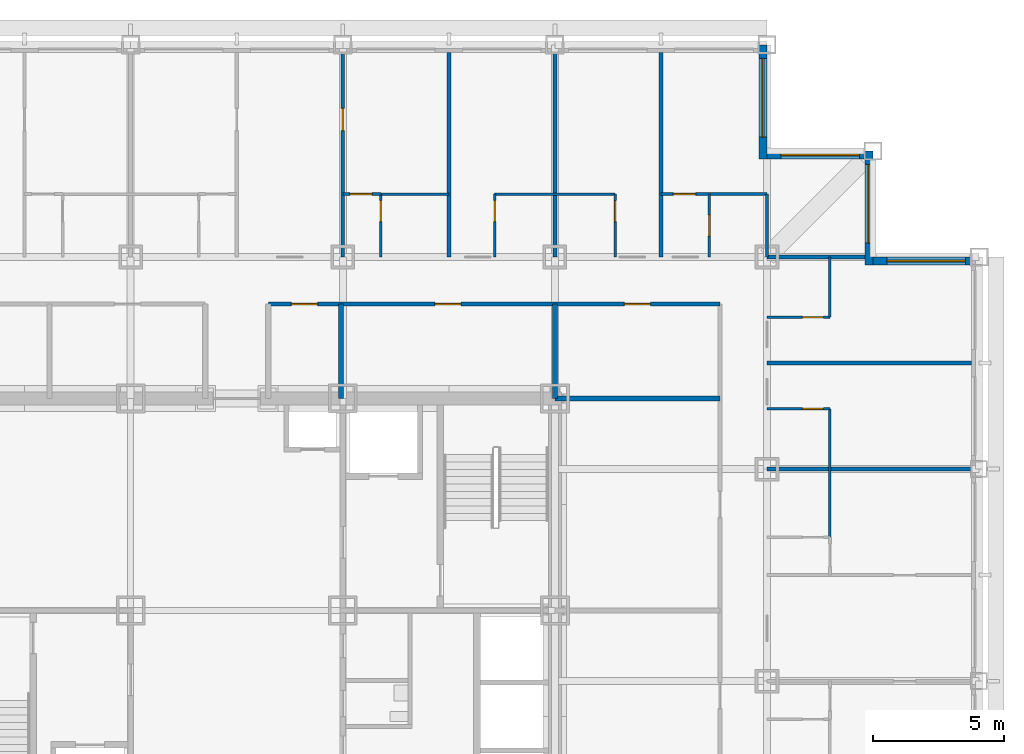
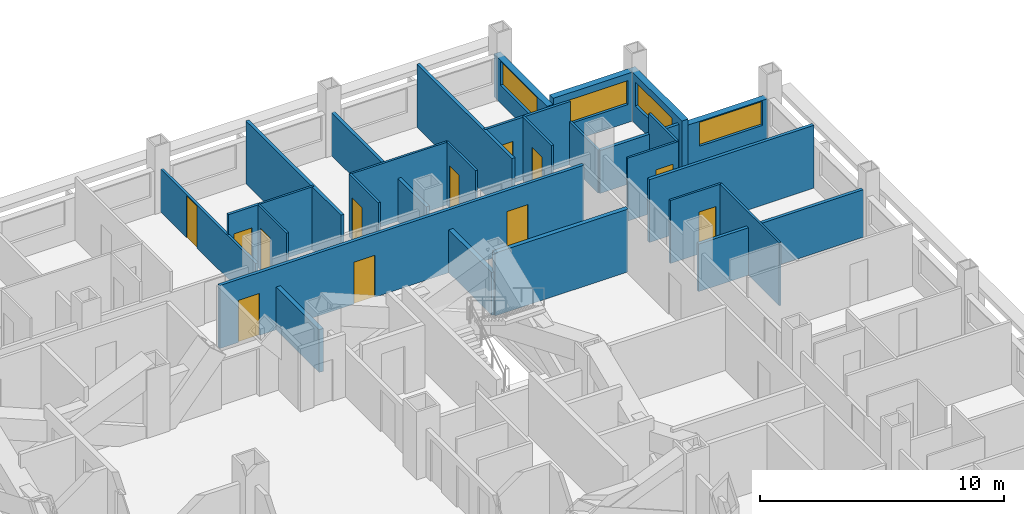
# One storey, part 12 of 15: 28 walls, 12 doors, 4 windows, 16 openings.
"""IFC4 building model written with IfcOpenShell, lengths in metres."""

from ifc_helpers import new_model, si_unit, direction, frame, frame_2d, origin, place, context, subcontext, project, spatial, rectangle, extrude, material, layer, layer_set, type_object, element, fill, save


model = new_model("IFC4")

# Units and contexts
model_context = context("Model", 3, precision=1e-05, world=origin(), true_north=direction((0.0, 1.0)))
body_context = subcontext(model_context, "Body", "Model", "MODEL_VIEW")
ifc_project = project(units=[si_unit("LENGTHUNIT", "METRE"), si_unit("AREAUNIT", "SQUARE_METRE"), si_unit("VOLUMEUNIT", "CUBIC_METRE"), si_unit("PLANEANGLEUNIT", "RADIAN"), si_unit("MASSUNIT", "GRAM", prefix="KILO")], contexts=[model_context])

# Site, building, storey
site_placement = place(None, origin())
site = spatial("IfcSite", under=ifc_project, at=site_placement, CompositionType="ELEMENT")
building_placement = place(site_placement, origin())
building = spatial("IfcBuilding", under=site, at=building_placement, Name="Kopane Lantern Tower", CompositionType="ELEMENT")
storey_placement = place(building_placement, frame((0.0, 0.0, 154.39990234375)))
storey = spatial("IfcBuildingStorey", under=building, at=storey_placement, Name="L40", CompositionType="ELEMENT", Elevation=154.39990234375)

# Wall, opening, door
ifc_material_1 = material(Name="Gypsum board on steel studs", Category="steel")
ifc_layer_1 = layer(ifc_material_1, 0.1201171875)
ifc_layer_set_1 = layer_set([ifc_layer_1], Name="APARTMENT INTERNAL WALL 120")
wall_type_1 = type_object("IfcWallType", Name="APARTMENT INTERNAL WALL 120", PredefinedType="PARTITIONING", material=ifc_layer_set_1)
wall_1_placement = place(storey_placement, frame((32.39990234375, 45.89990234375, 0.0), z_axis=(0.0, 0.0, 1.0), x_axis=(0.0, 1.0, 0.0)))
wall_1 = element("IfcWall", 1, at=wall_1_placement, inside=storey, type_object=wall_type_1, Name="Apartment Internal Wall 120 L40", PredefinedType="PARTITIONING", context=body_context, shape_type="SweptSolid", body=[
    extrude(rectangle(XDim=7.800048828125, YDim=0.1201171875, at=frame_2d((3.89990234375, 0.0))), origin(), (0.0, 0.0, 1.0), 2.150146484375),
])
opening_1_placement = place(wall_1_placement, frame((4.824951171875, 0.0, 0.0)))
opening_1 = element("IfcOpeningElement", 2, at=opening_1_placement, cuts=wall_1, Name="Opening L40-046", PredefinedType="OPENING", context=body_context, shape_type="SweptSolid", body=[
    extrude(rectangle(XDim=0.85009765625, YDim=2.10009765625, at=frame_2d((0.425048828125, 1.050048828125))), frame((0.0, 0.070068359375, 0.0), z_axis=(0.0, -1.0, 0.0), x_axis=(1.0, 0.0, 0.0)), (0.0, 0.0, 1.0), 0.14013671875),
])
ifc_material_2 = material(Name="Timber door set", Category="wood")
door_type_1 = type_object("IfcDoorType", Name="DOOR D4 850x2100", OperationType="SINGLE_SWING_LEFT", PredefinedType="DOOR", material=ifc_material_2)
door_1_placement = place(opening_1_placement, origin())
door_1 = element("IfcDoor", 3, at=door_1_placement, inside=storey, type_object=door_type_1, Name="Door L40-046", OperationType="SINGLE_SWING_RIGHT", OverallHeight=2.10009765625, OverallWidth=0.85009765625, PredefinedType="DOOR", context=body_context, shape_type="SweptSolid", body=[
    extrude(rectangle(XDim=0.85009765625, YDim=2.10009765625, at=frame_2d((0.425048828125, 1.050048828125))), frame((0.0, 0.02490234375, 0.0), z_axis=(0.0, -1.0, 0.0), x_axis=(1.0, 0.0, 0.0)), (0.0, 0.0, 1.0), 0.050048828125),
])
fill(opening_1, door_1)

wall_2_placement = place(storey_placement, frame((44.550048828125, 48.300048828125, 0.0), z_axis=(0.0, 0.0, 1.0), x_axis=(1.0, 0.0, 0.0)))
wall_2 = element("IfcWall", 4, at=wall_2_placement, inside=storey, type_object=wall_type_1, Name="Apartment Internal Wall 120 L40", PredefinedType="PARTITIONING", context=body_context, shape_type="SweptSolid", body=[
    extrude(rectangle(XDim=4.050048828125, YDim=0.1201171875, at=frame_2d((2.02490234375, 0.0))), origin(), (0.0, 0.0, 1.0), 3.150146484375),
])
opening_2_placement = place(wall_2_placement, frame((0.47509765625, 0.0, 0.0)))
opening_2 = element("IfcOpeningElement", 5, at=opening_2_placement, cuts=wall_2, Name="Opening L40-088", PredefinedType="OPENING", context=body_context, shape_type="SweptSolid", body=[
    extrude(rectangle(XDim=0.85009765625, YDim=2.10009765625, at=frame_2d((0.425048828125, 1.050048828125))), frame((0.0, 0.070068359375, 0.0), z_axis=(0.0, -1.0, 0.0), x_axis=(1.0, 0.0, 0.0)), (0.0, 0.0, 1.0), 0.14013671875),
])
door_2_placement = place(opening_2_placement, origin())
door_2 = element("IfcDoor", 6, at=door_2_placement, inside=storey, type_object=door_type_1, Name="Door L40-088", OperationType="SINGLE_SWING_LEFT", OverallHeight=2.10009765625, OverallWidth=0.85009765625, PredefinedType="DOOR", context=body_context, shape_type="SweptSolid", body=[
    extrude(rectangle(XDim=0.85009765625, YDim=2.10009765625, at=frame_2d((0.425048828125, 1.050048828125))), frame((0.0, 0.02490234375, 0.0), z_axis=(0.0, -1.0, 0.0), x_axis=(1.0, 0.0, 0.0)), (0.0, 0.0, 1.0), 0.050048828125),
])
fill(opening_2, door_2)

wall_3_placement = place(storey_placement, frame((32.39990234375, 48.300048828125, 0.0), z_axis=(0.0, 0.0, 1.0), x_axis=(1.0, 0.0, 0.0)))
wall_3 = element("IfcWall", 7, at=wall_3_placement, inside=storey, type_object=wall_type_1, Name="Apartment Internal Wall 120 L40", PredefinedType="PARTITIONING", context=body_context, shape_type="SweptSolid", body=[
    extrude(rectangle(XDim=1.460205078125, YDim=0.1201171875, at=frame_2d((0.72998046875, 0.0))), origin(), (0.0, 0.0, 1.0), 3.150146484375),
])
opening_3_placement = place(wall_3_placement, frame((0.27490234375, 0.0, 0.0)))
opening_3 = element("IfcOpeningElement", 8, at=opening_3_placement, cuts=wall_3, Name="Opening L40-098", PredefinedType="OPENING", context=body_context, shape_type="SweptSolid", body=[
    extrude(rectangle(XDim=0.85009765625, YDim=2.10009765625, at=frame_2d((0.425048828125, 1.050048828125))), frame((0.0, 0.070068359375, 0.0), z_axis=(0.0, -1.0, 0.0), x_axis=(1.0, 0.0, 0.0)), (0.0, 0.0, 1.0), 0.14013671875),
])
door_3_placement = place(opening_3_placement, origin())
door_3 = element("IfcDoor", 9, at=door_3_placement, inside=storey, type_object=door_type_1, Name="Door L40-098", OperationType="SINGLE_SWING_LEFT", OverallHeight=2.10009765625, OverallWidth=0.85009765625, PredefinedType="DOOR", context=body_context, shape_type="SweptSolid", body=[
    extrude(rectangle(XDim=0.85009765625, YDim=2.10009765625, at=frame_2d((0.425048828125, 1.050048828125))), frame((0.0, 0.02490234375, 0.0), z_axis=(0.0, -1.0, 0.0), x_axis=(1.0, 0.0, 0.0)), (0.0, 0.0, 1.0), 0.050048828125),
])
fill(opening_3, door_3)

# Wall
ifc_material_3 = material(Name="Moisture-resistant board on steel studs", Category="steel")
ifc_layer_2 = layer(ifc_material_3, 0.10009765625)
ifc_layer_set_2 = layer_set([ifc_layer_2], Name="BATHROOM WALL 100")
wall_type_2 = type_object("IfcWallType", Name="BATHROOM WALL 100", PredefinedType="PARTITIONING", material=ifc_layer_set_2)
wall_4_placement = place(storey_placement, frame((33.85009765625, 48.300048828125, 0.0), z_axis=(0.0, 0.0, 1.0), x_axis=(1.0, 0.0, 0.0)))
element("IfcWall", 10, at=wall_4_placement, inside=storey, type_object=wall_type_2, Name="Bathroom Wall 100 L40", PredefinedType="PARTITIONING", context=body_context, shape_type="SweptSolid", body=[
    extrude(rectangle(XDim=2.599853515625, YDim=0.10009765625, at=frame_2d((1.2998046875, 0.0))), origin(), (0.0, 0.0, 1.0), 3.150146484375),
])

# Wall, opening, door
wall_5_placement = place(storey_placement, frame((33.85009765625, 45.89990234375, 0.0), z_axis=(0.0, 0.0, 1.0), x_axis=(0.0, 1.0, 0.0)))
wall_5 = element("IfcWall", 11, at=wall_5_placement, inside=storey, type_object=wall_type_2, Name="Bathroom Wall 100 L40", PredefinedType="PARTITIONING", context=body_context, shape_type="SweptSolid", body=[
    extrude(rectangle(XDim=2.400146484375, YDim=0.10009765625, at=frame_2d((1.2001953125, 0.0))), origin(), (0.0, 0.0, 1.0), 3.150146484375),
])
opening_4_placement = place(wall_5_placement, frame((1.35009765625, 0.0, 0.0)))
opening_4 = element("IfcOpeningElement", 12, at=opening_4_placement, cuts=wall_5, Name="Opening L40-045", PredefinedType="OPENING", context=body_context, shape_type="SweptSolid", body=[
    extrude(rectangle(XDim=0.800048828125, YDim=2.10009765625, at=frame_2d((0.39990234375, 1.050048828125))), frame((0.0, 0.06005859375, 0.0), z_axis=(0.0, -1.0, 0.0), x_axis=(1.0, 0.0, 0.0)), (0.0, 0.0, 1.0), 0.1201171875),
])
ifc_material_4 = material(Name="Timber door set", Category="wood")
door_type_2 = type_object("IfcDoorType", Name="DOOR D2 800x2100", OperationType="SINGLE_SWING_LEFT", PredefinedType="DOOR", material=ifc_material_4)
door_4_placement = place(opening_4_placement, origin())
door_4 = element("IfcDoor", 13, at=door_4_placement, inside=storey, type_object=door_type_2, Name="Door L40-045", OperationType="SINGLE_SWING_RIGHT", OverallHeight=2.10009765625, OverallWidth=0.800048828125, PredefinedType="DOOR", context=body_context, shape_type="SweptSolid", body=[
    extrude(rectangle(XDim=0.800048828125, YDim=2.10009765625, at=frame_2d((0.39990234375, 1.050048828125))), frame((0.0, 0.02490234375, 0.0), z_axis=(0.0, -1.0, 0.0), x_axis=(1.0, 0.0, 0.0)), (0.0, 0.0, 1.0), 0.050048828125),
])
fill(opening_4, door_4)

# Wall
wall_6_placement = place(storey_placement, frame((38.199951171875, 48.300048828125, 0.0), z_axis=(0.0, 0.0, 1.0), x_axis=(1.0, 0.0, 0.0)))
element("IfcWall", 14, at=wall_6_placement, inside=storey, type_object=wall_type_2, Name="Bathroom Wall 100 L40", PredefinedType="PARTITIONING", context=body_context, shape_type="SweptSolid", body=[
    extrude(rectangle(XDim=4.60009765625, YDim=0.10009765625, at=frame_2d((2.300048828125, 0.0))), origin(), (0.0, 0.0, 1.0), 3.150146484375),
])

# Wall, opening, door
wall_7_placement = place(storey_placement, frame((38.199951171875, 45.89990234375, 0.0), z_axis=(0.0, 0.0, 1.0), x_axis=(0.0, 1.0, 0.0)))
wall_7 = element("IfcWall", 15, at=wall_7_placement, inside=storey, type_object=wall_type_2, Name="Bathroom Wall 100 L40", PredefinedType="PARTITIONING", context=body_context, shape_type="SweptSolid", body=[
    extrude(rectangle(XDim=2.400146484375, YDim=0.10009765625, at=frame_2d((1.2001953125, 0.0))), origin(), (0.0, 0.0, 1.0), 3.150146484375),
])
opening_5_placement = place(wall_7_placement, frame((1.35009765625, 0.0, 0.0)))
opening_5 = element("IfcOpeningElement", 16, at=opening_5_placement, cuts=wall_7, Name="Opening L40-047", PredefinedType="OPENING", context=body_context, shape_type="SweptSolid", body=[
    extrude(rectangle(XDim=0.800048828125, YDim=2.10009765625, at=frame_2d((0.39990234375, 1.050048828125))), frame((0.0, 0.06005859375, 0.0), z_axis=(0.0, -1.0, 0.0), x_axis=(1.0, 0.0, 0.0)), (0.0, 0.0, 1.0), 0.1201171875),
])
door_5_placement = place(opening_5_placement, origin())
door_5 = element("IfcDoor", 17, at=door_5_placement, inside=storey, type_object=door_type_2, Name="Door L40-047", OperationType="SINGLE_SWING_LEFT", OverallHeight=2.10009765625, OverallWidth=0.800048828125, PredefinedType="DOOR", context=body_context, shape_type="SweptSolid", body=[
    extrude(rectangle(XDim=0.800048828125, YDim=2.10009765625, at=frame_2d((0.39990234375, 1.050048828125))), frame((0.0, 0.02490234375, 0.0), z_axis=(0.0, -1.0, 0.0), x_axis=(1.0, 0.0, 0.0)), (0.0, 0.0, 1.0), 0.050048828125),
])
fill(opening_5, door_5)

wall_8_placement = place(storey_placement, frame((42.800048828125, 45.89990234375, 0.0), z_axis=(0.0, 0.0, 1.0), x_axis=(0.0, 1.0, 0.0)))
wall_8 = element("IfcWall", 18, at=wall_8_placement, inside=storey, type_object=wall_type_2, Name="Bathroom Wall 100 L40", PredefinedType="PARTITIONING", context=body_context, shape_type="SweptSolid", body=[
    extrude(rectangle(XDim=2.400146484375, YDim=0.10009765625, at=frame_2d((1.2001953125, 0.0))), origin(), (0.0, 0.0, 1.0), 3.150146484375),
])
opening_6_placement = place(wall_8_placement, frame((1.35009765625, 0.0, 0.0)))
opening_6 = element("IfcOpeningElement", 19, at=opening_6_placement, cuts=wall_8, Name="Opening L40-049", PredefinedType="OPENING", context=body_context, shape_type="SweptSolid", body=[
    extrude(rectangle(XDim=0.800048828125, YDim=2.10009765625, at=frame_2d((0.39990234375, 1.050048828125))), frame((0.0, 0.06005859375, 0.0), z_axis=(0.0, -1.0, 0.0), x_axis=(1.0, 0.0, 0.0)), (0.0, 0.0, 1.0), 0.1201171875),
])
door_6_placement = place(opening_6_placement, origin())
door_6 = element("IfcDoor", 20, at=door_6_placement, inside=storey, type_object=door_type_2, Name="Door L40-049", OperationType="SINGLE_SWING_RIGHT", OverallHeight=2.10009765625, OverallWidth=0.800048828125, PredefinedType="DOOR", context=body_context, shape_type="SweptSolid", body=[
    extrude(rectangle(XDim=0.800048828125, YDim=2.10009765625, at=frame_2d((0.39990234375, 1.050048828125))), frame((0.0, 0.02490234375, 0.0), z_axis=(0.0, -1.0, 0.0), x_axis=(1.0, 0.0, 0.0)), (0.0, 0.0, 1.0), 0.050048828125),
])
fill(opening_6, door_6)

# Wall
wall_9_placement = place(storey_placement, frame((51.0, 35.199951171875, 0.0), z_axis=(0.0, 0.0, 1.0), x_axis=(0.0, 1.0, 0.0)))
element("IfcWall", 21, at=wall_9_placement, inside=storey, type_object=wall_type_2, Name="Bathroom Wall 100 L40", PredefinedType="PARTITIONING", context=body_context, shape_type="SweptSolid", body=[
    extrude(rectangle(XDim=4.900146484375, YDim=0.10009765625, at=frame_2d((2.4501953125, 0.0))), origin(), (0.0, 0.0, 1.0), 3.150146484375),
])

# Wall, opening, door
wall_10_placement = place(storey_placement, frame((48.60009765625, 40.10009765625, 0.0), z_axis=(0.0, 0.0, 1.0), x_axis=(1.0, 0.0, 0.0)))
wall_10 = element("IfcWall", 22, at=wall_10_placement, inside=storey, type_object=wall_type_2, Name="Bathroom Wall 100 L40", PredefinedType="PARTITIONING", context=body_context, shape_type="SweptSolid", body=[
    extrude(rectangle(XDim=2.39990234375, YDim=0.10009765625, at=frame_2d((1.199951171875, 0.0))), origin(), (0.0, 0.0, 1.0), 3.150146484375),
])
opening_7_placement = place(wall_10_placement, frame((1.35009765625, 0.0, 0.0)))
opening_7 = element("IfcOpeningElement", 23, at=opening_7_placement, cuts=wall_10, Name="Opening L40-072", PredefinedType="OPENING", context=body_context, shape_type="SweptSolid", body=[
    extrude(rectangle(XDim=0.800048828125, YDim=2.10009765625, at=frame_2d((0.39990234375, 1.050048828125))), frame((0.0, 0.06005859375, 0.0), z_axis=(0.0, -1.0, 0.0), x_axis=(1.0, 0.0, 0.0)), (0.0, 0.0, 1.0), 0.1201171875),
])
door_7_placement = place(opening_7_placement, origin())
door_7 = element("IfcDoor", 24, at=door_7_placement, inside=storey, type_object=door_type_2, Name="Door L40-072", OperationType="SINGLE_SWING_LEFT", OverallHeight=2.10009765625, OverallWidth=0.800048828125, PredefinedType="DOOR", context=body_context, shape_type="SweptSolid", body=[
    extrude(rectangle(XDim=0.800048828125, YDim=2.10009765625, at=frame_2d((0.39990234375, 1.050048828125))), frame((0.0, 0.02490234375, 0.0), z_axis=(0.0, -1.0, 0.0), x_axis=(1.0, 0.0, 0.0)), (0.0, 0.0, 1.0), 0.050048828125),
])
fill(opening_7, door_7)

# Wall
wall_11_placement = place(storey_placement, frame((51.0, 43.60009765625, 0.0), z_axis=(0.0, 0.0, 1.0), x_axis=(0.0, 1.0, 0.0)))
element("IfcWall", 25, at=wall_11_placement, inside=storey, type_object=wall_type_2, Name="Bathroom Wall 100 L40", PredefinedType="PARTITIONING", context=body_context, shape_type="SweptSolid", body=[
    extrude(rectangle(XDim=2.2998046875, YDim=0.10009765625, at=frame_2d((1.14990234375, 0.0))), origin(), (0.0, 0.0, 1.0), 3.150146484375),
])

# Wall, opening, door
wall_12_placement = place(storey_placement, frame((48.60009765625, 43.60009765625, 0.0), z_axis=(0.0, 0.0, 1.0), x_axis=(1.0, 0.0, 0.0)))
wall_12 = element("IfcWall", 26, at=wall_12_placement, inside=storey, type_object=wall_type_2, Name="Bathroom Wall 100 L40", PredefinedType="PARTITIONING", context=body_context, shape_type="SweptSolid", body=[
    extrude(rectangle(XDim=2.39990234375, YDim=0.10009765625, at=frame_2d((1.199951171875, 0.0))), origin(), (0.0, 0.0, 1.0), 3.150146484375),
])
opening_8_placement = place(wall_12_placement, frame((1.35009765625, 0.0, 0.0)))
opening_8 = element("IfcOpeningElement", 27, at=opening_8_placement, cuts=wall_12, Name="Opening L40-074", PredefinedType="OPENING", context=body_context, shape_type="SweptSolid", body=[
    extrude(rectangle(XDim=0.800048828125, YDim=2.10009765625, at=frame_2d((0.39990234375, 1.050048828125))), frame((0.0, 0.06005859375, 0.0), z_axis=(0.0, -1.0, 0.0), x_axis=(1.0, 0.0, 0.0)), (0.0, 0.0, 1.0), 0.1201171875),
])
door_8_placement = place(opening_8_placement, origin())
door_8 = element("IfcDoor", 28, at=door_8_placement, inside=storey, type_object=door_type_2, Name="Door L40-074", OperationType="SINGLE_SWING_RIGHT", OverallHeight=2.10009765625, OverallWidth=0.800048828125, PredefinedType="DOOR", context=body_context, shape_type="SweptSolid", body=[
    extrude(rectangle(XDim=0.800048828125, YDim=2.10009765625, at=frame_2d((0.39990234375, 1.050048828125))), frame((0.0, 0.02490234375, 0.0), z_axis=(0.0, -1.0, 0.0), x_axis=(1.0, 0.0, 0.0)), (0.0, 0.0, 1.0), 0.050048828125),
])
fill(opening_8, door_8)

wall_13_placement = place(storey_placement, frame((46.39990234375, 45.89990234375, 0.0), z_axis=(0.0, 0.0, 1.0), x_axis=(0.0, 1.0, 0.0)))
wall_13 = element("IfcWall", 29, at=wall_13_placement, inside=storey, type_object=wall_type_2, Name="Bathroom Wall 100 L40", PredefinedType="PARTITIONING", context=body_context, shape_type="SweptSolid", body=[
    extrude(rectangle(XDim=2.400146484375, YDim=0.10009765625, at=frame_2d((1.2001953125, 0.0))), origin(), (0.0, 0.0, 1.0), 3.150146484375),
])
opening_9_placement = place(wall_13_placement, frame((0.800048828125, 0.0, 0.0)))
opening_9 = element("IfcOpeningElement", 30, at=opening_9_placement, cuts=wall_13, Name="Opening L40-086", PredefinedType="OPENING", context=body_context, shape_type="SweptSolid", body=[
    extrude(rectangle(XDim=0.800048828125, YDim=2.10009765625, at=frame_2d((0.39990234375, 1.050048828125))), frame((0.0, 0.06005859375, 0.0), z_axis=(0.0, -1.0, 0.0), x_axis=(1.0, 0.0, 0.0)), (0.0, 0.0, 1.0), 0.1201171875),
])
door_9_placement = place(opening_9_placement, origin())
door_9 = element("IfcDoor", 31, at=door_9_placement, inside=storey, type_object=door_type_2, Name="Door L40-086", OperationType="SINGLE_SWING_RIGHT", OverallHeight=2.10009765625, OverallWidth=0.800048828125, PredefinedType="DOOR", context=body_context, shape_type="SweptSolid", body=[
    extrude(rectangle(XDim=0.800048828125, YDim=2.10009765625, at=frame_2d((0.39990234375, 1.050048828125))), frame((0.0, 0.02490234375, 0.0), z_axis=(0.0, -1.0, 0.0), x_axis=(1.0, 0.0, 0.0)), (0.0, 0.0, 1.0), 0.050048828125),
])
fill(opening_9, door_9)

# Wall
wall_14_placement = place(storey_placement, frame((48.60009765625, 45.89990234375, 0.0), z_axis=(0.0, 0.0, 1.0), x_axis=(0.0, 1.0, 0.0)))
element("IfcWall", 32, at=wall_14_placement, inside=storey, type_object=wall_type_2, Name="Bathroom Wall 100 L40", PredefinedType="PARTITIONING", context=body_context, shape_type="SweptSolid", body=[
    extrude(rectangle(XDim=2.400146484375, YDim=0.10009765625, at=frame_2d((1.2001953125, 0.0))), origin(), (0.0, 0.0, 1.0), 2.150146484375),
])

# Wall, openings, doors
ifc_material_5 = material(Name="Gypsum board on steel studs", Category="steel")
ifc_layer_3 = layer(ifc_material_5, 0.14990234375)
ifc_layer_set_3 = layer_set([ifc_layer_3], Name="CORRIDOR WALL 150 EI 60")
wall_type_3 = type_object("IfcWallType", Name="CORRIDOR WALL 150 EI 60", PredefinedType="PARTITIONING", material=ifc_layer_set_3)
wall_15_placement = place(storey_placement, frame((46.800048828125, 44.10009765625, 0.0), z_axis=(0.0, 0.0, 1.0), x_axis=(-1.0, 0.0, 0.0)))
wall_15 = element("IfcWall", 33, at=wall_15_placement, inside=storey, type_object=wall_type_3, Name="Corridor Wall 150 Ei 60 L40", PredefinedType="PARTITIONING", context=body_context, shape_type="SweptSolid", body=[
    extrude(rectangle(XDim=17.239990234375, YDim=0.14990234375, at=frame_2d((8.6201171875, 0.0))), origin(), (0.0, 0.0, 1.0), 3.150146484375),
])
opening_10_placement = place(wall_15_placement, frame((15.361083984375, 0.0, 0.0)))
opening_10 = element("IfcOpeningElement", 34, at=opening_10_placement, cuts=wall_15, Name="Opening L40-020", PredefinedType="OPENING", context=body_context, shape_type="SweptSolid", body=[
    extrude(rectangle(XDim=1.0, YDim=2.10009765625, at=frame_2d((0.5, 1.050048828125))), frame((0.0, 0.0849609375, 0.0), z_axis=(0.0, -1.0, 0.0), x_axis=(1.0, 0.0, 0.0)), (0.0, 0.0, 1.0), 0.169921875),
])
opening_11_placement = place(wall_15_placement, frame((9.885986328125, 0.0, 0.0)))
opening_11 = element("IfcOpeningElement", 35, at=opening_11_placement, cuts=wall_15, Name="Opening L40-021", PredefinedType="OPENING", context=body_context, shape_type="SweptSolid", body=[
    extrude(rectangle(XDim=1.0, YDim=2.10009765625, at=frame_2d((0.5, 1.050048828125))), frame((0.0, 0.0849609375, 0.0), z_axis=(0.0, -1.0, 0.0), x_axis=(1.0, 0.0, 0.0)), (0.0, 0.0, 1.0), 0.169921875),
])
opening_12_placement = place(wall_15_placement, frame((2.64990234375, 0.0, 0.0)))
opening_12 = element("IfcOpeningElement", 36, at=opening_12_placement, cuts=wall_15, Name="Opening L40-022", PredefinedType="OPENING", context=body_context, shape_type="SweptSolid", body=[
    extrude(rectangle(XDim=1.0, YDim=2.10009765625, at=frame_2d((0.5, 1.050048828125))), frame((0.0, 0.0849609375, 0.0), z_axis=(0.0, -1.0, 0.0), x_axis=(1.0, 0.0, 0.0)), (0.0, 0.0, 1.0), 0.169921875),
])
ifc_material_6 = material(Name="Steel door set", Category="steel")
door_type_3 = type_object("IfcDoorType", Name="DOOR D5 1000x2100 FD60", OperationType="SINGLE_SWING_LEFT", PredefinedType="DOOR", material=ifc_material_6)
door_10_placement = place(opening_10_placement, origin())
door_10 = element("IfcDoor", 37, at=door_10_placement, inside=storey, type_object=door_type_3, Name="Door L40-020", OperationType="SINGLE_SWING_LEFT", OverallHeight=2.10009765625, OverallWidth=1.0, PredefinedType="DOOR", context=body_context, shape_type="SweptSolid", body=[
    extrude(rectangle(XDim=1.0, YDim=2.10009765625, at=frame_2d((0.5, 1.050048828125))), frame((0.0, 0.02490234375, 0.0), z_axis=(0.0, -1.0, 0.0), x_axis=(1.0, 0.0, 0.0)), (0.0, 0.0, 1.0), 0.050048828125),
])
fill(opening_10, door_10)
door_11_placement = place(opening_11_placement, origin())
door_11 = element("IfcDoor", 38, at=door_11_placement, inside=storey, type_object=door_type_3, Name="Door L40-021", OperationType="SINGLE_SWING_RIGHT", OverallHeight=2.10009765625, OverallWidth=1.0, PredefinedType="DOOR", context=body_context, shape_type="SweptSolid", body=[
    extrude(rectangle(XDim=1.0, YDim=2.10009765625, at=frame_2d((0.5, 1.050048828125))), frame((0.0, 0.02490234375, 0.0), z_axis=(0.0, -1.0, 0.0), x_axis=(1.0, 0.0, 0.0)), (0.0, 0.0, 1.0), 0.050048828125),
])
fill(opening_11, door_11)
door_12_placement = place(opening_12_placement, origin())
door_12 = element("IfcDoor", 39, at=door_12_placement, inside=storey, type_object=door_type_3, Name="Door L40-022", OperationType="SINGLE_SWING_LEFT", OverallHeight=2.10009765625, OverallWidth=1.0, PredefinedType="DOOR", context=body_context, shape_type="SweptSolid", body=[
    extrude(rectangle(XDim=1.0, YDim=2.10009765625, at=frame_2d((0.5, 1.050048828125))), frame((0.0, 0.02490234375, 0.0), z_axis=(0.0, -1.0, 0.0), x_axis=(1.0, 0.0, 0.0)), (0.0, 0.0, 1.0), 0.050048828125),
])
fill(opening_12, door_12)

# Walls
ifc_material_7 = material(Name="Gypsum board on steel studs", Category="steel")
ifc_layer_4 = layer(ifc_material_7, 0.14990234375)
ifc_layer_set_4 = layer_set([ifc_layer_4], Name="DEMISING WALL 150 EI 60")
wall_type_4 = type_object("IfcWallType", Name="DEMISING WALL 150 EI 60", PredefinedType="PARTITIONING", material=ifc_layer_set_4)
wall_16_placement = place(storey_placement, frame((36.449951171875, 45.89990234375, 0.0), z_axis=(0.0, 0.0, 1.0), x_axis=(0.0, 1.0, 0.0)))
element("IfcWall", 40, at=wall_16_placement, inside=storey, type_object=wall_type_4, Name="Demising Wall 150 Ei 60 L40", PredefinedType="PARTITIONING", context=body_context, shape_type="SweptSolid", body=[
    extrude(rectangle(XDim=7.800048828125, YDim=0.14990234375, at=frame_2d((3.89990234375, 0.0))), origin(), (0.0, 0.0, 1.0), 3.150146484375),
])
wall_17_placement = place(storey_placement, frame((40.5, 45.89990234375, 0.0), z_axis=(0.0, 0.0, 1.0), x_axis=(0.0, 1.0, 0.0)))
element("IfcWall", 41, at=wall_17_placement, inside=storey, type_object=wall_type_4, Name="Demising Wall 150 Ei 60 L40", PredefinedType="PARTITIONING", context=body_context, shape_type="SweptSolid", body=[
    extrude(rectangle(XDim=7.800048828125, YDim=0.14990234375, at=frame_2d((3.89990234375, 0.0))), origin(), (0.0, 0.0, 1.0), 2.150146484375),
])
wall_18_placement = place(storey_placement, frame((48.60009765625, 37.800048828125, 0.0), z_axis=(0.0, 0.0, 1.0), x_axis=(1.0, 0.0, 0.0)))
element("IfcWall", 42, at=wall_18_placement, inside=storey, type_object=wall_type_4, Name="Demising Wall 150 Ei 60 L40", PredefinedType="PARTITIONING", context=body_context, shape_type="SweptSolid", body=[
    extrude(rectangle(XDim=7.7998046875, YDim=0.14990234375, at=frame_2d((3.89990234375, 0.0))), origin(), (0.0, 0.0, 1.0), 2.38037109375),
])
wall_19_placement = place(storey_placement, frame((48.60009765625, 41.85009765625, 0.0), z_axis=(0.0, 0.0, 1.0), x_axis=(1.0, 0.0, 0.0)))
element("IfcWall", 43, at=wall_19_placement, inside=storey, type_object=wall_type_4, Name="Demising Wall 150 Ei 60 L40", PredefinedType="PARTITIONING", context=body_context, shape_type="SweptSolid", body=[
    extrude(rectangle(XDim=7.7998046875, YDim=0.14990234375, at=frame_2d((3.89990234375, 0.0))), origin(), (0.0, 0.0, 1.0), 3.150146484375),
])
wall_20_placement = place(storey_placement, frame((48.60009765625, 45.89990234375, 0.0), z_axis=(0.0, 0.0, 1.0), x_axis=(1.0, 0.0, 0.0)))
element("IfcWall", 44, at=wall_20_placement, inside=storey, type_object=wall_type_4, Name="Demising Wall 150 Ei 60 L40", PredefinedType="PARTITIONING", context=body_context, shape_type="SweptSolid", body=[
    extrude(rectangle(XDim=3.75, YDim=0.14990234375, at=frame_2d((1.875, 0.0))), origin(), (0.0, 0.0, 1.0), 2.150146484375),
])
wall_21_placement = place(storey_placement, frame((44.550048828125, 45.89990234375, 0.0), z_axis=(0.0, 0.0, 1.0), x_axis=(0.0, 1.0, 0.0)))
element("IfcWall", 45, at=wall_21_placement, inside=storey, type_object=wall_type_4, Name="Demising Wall 150 Ei 60 L40", PredefinedType="PARTITIONING", context=body_context, shape_type="SweptSolid", body=[
    extrude(rectangle(XDim=7.800048828125, YDim=0.14990234375, at=frame_2d((3.89990234375, 0.0))), origin(), (0.0, 0.0, 1.0), 3.150146484375),
])

# Wall, opening, window
ifc_material_8 = material(Name="Terracotta rainscreen on light steel framing", Category="masonry")
ifc_layer_5 = layer(ifc_material_8, 0.300048828125)
ifc_layer_set_5 = layer_set([ifc_layer_5], Name="EXTERNAL WALL EW1 300 TERRACOTTA")
wall_type_5 = type_object("IfcWallType", Name="EXTERNAL WALL EW1 300 TERRACOTTA", PredefinedType="SOLIDWALL", material=ifc_layer_set_5)
wall_22_placement = place(storey_placement, frame((56.39990234375, 45.75, 0.0), z_axis=(0.0, 0.0, 1.0), x_axis=(-1.0, 0.0, 0.0)))
wall_22 = element("IfcWall", 46, at=wall_22_placement, inside=storey, type_object=wall_type_5, Name="External wall N L40", PredefinedType="SOLIDWALL", context=body_context, shape_type="SweptSolid", body=[
    extrude(rectangle(XDim=3.75, YDim=0.300048828125, at=frame_2d((1.875, 0.0))), origin(), (0.0, 0.0, 1.0), 2.150146484375),
])
opening_13_placement = place(wall_22_placement, frame((0.22509765625, 0.0, 0.89990234375)))
opening_13 = element("IfcOpeningElement", 47, at=opening_13_placement, cuts=wall_22, Name="Opening WR300120", PredefinedType="OPENING", context=body_context, shape_type="SweptSolid", body=[
    extrude(rectangle(XDim=3.0, YDim=1.199951171875, at=frame_2d((1.5, 0.60009765625))), frame((0.0, 0.159912109375, 0.0), z_axis=(0.0, -1.0, 0.0), x_axis=(1.0, 0.0, 0.0)), (0.0, 0.0, 1.0), 0.320068359375),
])
ifc_material_9 = material(Name="Aluminium and clear glass", Category="aluminium")
window_type = type_object("IfcWindowType", Name="RIBBON WINDOW WR300120 3000x1200", PartitioningType="SINGLE_PANEL", PredefinedType="WINDOW", material=ifc_material_9)
window_1_placement = place(opening_13_placement, origin())
window_1 = element("IfcWindow", 48, at=window_1_placement, inside=storey, type_object=window_type, Name="Window N L40", OverallHeight=1.199951171875, OverallWidth=3.0, PartitioningType="SINGLE_PANEL", PredefinedType="WINDOW", context=body_context, shape_type="SweptSolid", body=[
    extrude(rectangle(XDim=3.0, YDim=1.199951171875, at=frame_2d((1.5, 0.60009765625))), frame((0.0, 0.030029296875, 0.0), z_axis=(0.0, -1.0, 0.0), x_axis=(1.0, 0.0, 0.0)), (0.0, 0.0, 1.0), 0.06005859375),
])
fill(opening_13, window_1)

wall_23_placement = place(storey_placement, frame((52.5, 45.60009765625, 0.0), z_axis=(0.0, 0.0, 1.0), x_axis=(0.0, 1.0, 0.0)))
wall_23 = element("IfcWall", 49, at=wall_23_placement, inside=storey, type_object=wall_type_5, Name="External wall E L40", PredefinedType="SOLIDWALL", context=body_context, shape_type="SweptSolid", body=[
    extrude(rectangle(XDim=4.349853515625, YDim=0.300048828125, at=frame_2d((2.1748046875, 0.0))), origin(), (0.0, 0.0, 1.0), 2.4501953125),
])
opening_14_placement = place(wall_23_placement, frame((0.824951171875, 0.0, 0.89990234375)))
opening_14 = element("IfcOpeningElement", 50, at=opening_14_placement, cuts=wall_23, Name="Opening WR300120", PredefinedType="OPENING", context=body_context, shape_type="SweptSolid", body=[
    extrude(rectangle(XDim=3.0, YDim=1.199951171875, at=frame_2d((1.5, 0.60009765625))), frame((0.0, 0.159912109375, 0.0), z_axis=(0.0, -1.0, 0.0), x_axis=(1.0, 0.0, 0.0)), (0.0, 0.0, 1.0), 0.320068359375),
])
window_2_placement = place(opening_14_placement, origin())
window_2 = element("IfcWindow", 51, at=window_2_placement, inside=storey, type_object=window_type, Name="Window E L40", OverallHeight=1.199951171875, OverallWidth=3.0, PartitioningType="SINGLE_PANEL", PredefinedType="WINDOW", context=body_context, shape_type="SweptSolid", body=[
    extrude(rectangle(XDim=3.0, YDim=1.199951171875, at=frame_2d((1.5, 0.60009765625))), frame((0.0, 0.030029296875, 0.0), z_axis=(0.0, -1.0, 0.0), x_axis=(1.0, 0.0, 0.0)), (0.0, 0.0, 1.0), 0.06005859375),
])
fill(opening_14, window_2)

wall_24_placement = place(storey_placement, frame((52.35009765625, 49.800048828125, 0.0), z_axis=(0.0, 0.0, 1.0), x_axis=(-1.0, 0.0, 0.0)))
wall_24 = element("IfcWall", 52, at=wall_24_placement, inside=storey, type_object=wall_type_5, Name="External wall N L40", PredefinedType="SOLIDWALL", context=body_context, shape_type="SweptSolid", body=[
    extrude(rectangle(XDim=3.75, YDim=0.300048828125, at=frame_2d((1.875, 0.0))), origin(), (0.0, 0.0, 1.0), 2.4501953125),
])
opening_15_placement = place(wall_24_placement, frame((0.22509765625, 0.0, 0.89990234375)))
opening_15 = element("IfcOpeningElement", 53, at=opening_15_placement, cuts=wall_24, Name="Opening WR300120", PredefinedType="OPENING", context=body_context, shape_type="SweptSolid", body=[
    extrude(rectangle(XDim=3.0, YDim=1.199951171875, at=frame_2d((1.5, 0.60009765625))), frame((0.0, 0.159912109375, 0.0), z_axis=(0.0, -1.0, 0.0), x_axis=(1.0, 0.0, 0.0)), (0.0, 0.0, 1.0), 0.320068359375),
])
window_3_placement = place(opening_15_placement, origin())
window_3 = element("IfcWindow", 54, at=window_3_placement, inside=storey, type_object=window_type, Name="Window N L40", OverallHeight=1.199951171875, OverallWidth=3.0, PartitioningType="SINGLE_PANEL", PredefinedType="WINDOW", context=body_context, shape_type="SweptSolid", body=[
    extrude(rectangle(XDim=3.0, YDim=1.199951171875, at=frame_2d((1.5, 0.60009765625))), frame((0.0, 0.030029296875, 0.0), z_axis=(0.0, -1.0, 0.0), x_axis=(1.0, 0.0, 0.0)), (0.0, 0.0, 1.0), 0.06005859375),
])
fill(opening_15, window_3)

wall_25_placement = place(storey_placement, frame((48.449951171875, 49.64990234375, 0.0), z_axis=(0.0, 0.0, 1.0), x_axis=(0.0, 1.0, 0.0)))
wall_25 = element("IfcWall", 55, at=wall_25_placement, inside=storey, type_object=wall_type_5, Name="External wall E L40", PredefinedType="SOLIDWALL", context=body_context, shape_type="SweptSolid", body=[
    extrude(rectangle(XDim=4.35009765625, YDim=0.300048828125, at=frame_2d((2.175048828125, 0.0))), origin(), (0.0, 0.0, 1.0), 2.150146484375),
])
opening_16_placement = place(wall_25_placement, frame((0.824951171875, 0.0, 0.89990234375)))
opening_16 = element("IfcOpeningElement", 56, at=opening_16_placement, cuts=wall_25, Name="Opening WR300120", PredefinedType="OPENING", context=body_context, shape_type="SweptSolid", body=[
    extrude(rectangle(XDim=3.0, YDim=1.199951171875, at=frame_2d((1.5, 0.60009765625))), frame((0.0, 0.159912109375, 0.0), z_axis=(0.0, -1.0, 0.0), x_axis=(1.0, 0.0, 0.0)), (0.0, 0.0, 1.0), 0.320068359375),
])
window_4_placement = place(opening_16_placement, origin())
window_4 = element("IfcWindow", 57, at=window_4_placement, inside=storey, type_object=window_type, Name="Window E L40", OverallHeight=1.199951171875, OverallWidth=3.0, PartitioningType="SINGLE_PANEL", PredefinedType="WINDOW", context=body_context, shape_type="SweptSolid", body=[
    extrude(rectangle(XDim=3.0, YDim=1.199951171875, at=frame_2d((1.5, 0.60009765625))), frame((0.0, 0.030029296875, 0.0), z_axis=(0.0, -1.0, 0.0), x_axis=(1.0, 0.0, 0.0)), (0.0, 0.0, 1.0), 0.06005859375),
])
fill(opening_16, window_4)

# Walls
ifc_material_10 = material(Name="Concrete masonry", Category="masonry")
ifc_layer_6 = layer(ifc_material_10, 0.199951171875)
ifc_layer_set_6 = layer_set([ifc_layer_6], Name="PLANT ROOM WALL 200 EI 120")
wall_type_6 = type_object("IfcWallType", Name="PLANT ROOM WALL 200 EI 120", PredefinedType="SOLIDWALL", material=ifc_layer_set_6)
for number, where, z_axis, x_axis, name in (
    (58, (40.5, 40.5, 0.0), (0.0, 0.0, 1.0), (0.0, 1.0, 0.0), "Plant Room Wall 200 Ei 120 L40"),
    (59, (32.327880859375, 44.10009765625, 0.0), (0.0, 0.0, 1.0), (0.0, -1.0, 0.0), "Plant Room Wall 200 Ei 120 L40"),
):
    element("IfcWall", number, at=place(storey_placement, frame(where, z_axis=z_axis, x_axis=x_axis)), inside=storey, type_object=wall_type_6, Name=name, PredefinedType="SOLIDWALL", context=body_context, shape_type="SweptSolid", body=[
        extrude(rectangle(XDim=3.60009765625, YDim=0.199951171875, at=frame_2d((1.800048828125, 0.0))), origin(), (0.0, 0.0, 1.0), 2.150146484375),
    ])
wall_26_placement = place(storey_placement, frame((40.5, 40.5, 0.0), z_axis=(0.0, 0.0, 1.0), x_axis=(1.0, 0.0, 0.0)))
element("IfcWall", 60, at=wall_26_placement, inside=storey, type_object=wall_type_6, Name="Plant Room Wall 200 Ei 120 L40", PredefinedType="SOLIDWALL", context=body_context, shape_type="SweptSolid", body=[
    extrude(rectangle(XDim=6.300048828125, YDim=0.199951171875, at=frame_2d((3.14990234375, 0.0))), origin(), (0.0, 0.0, 1.0), 3.150146484375),
])

save(model, "model.ifc")
